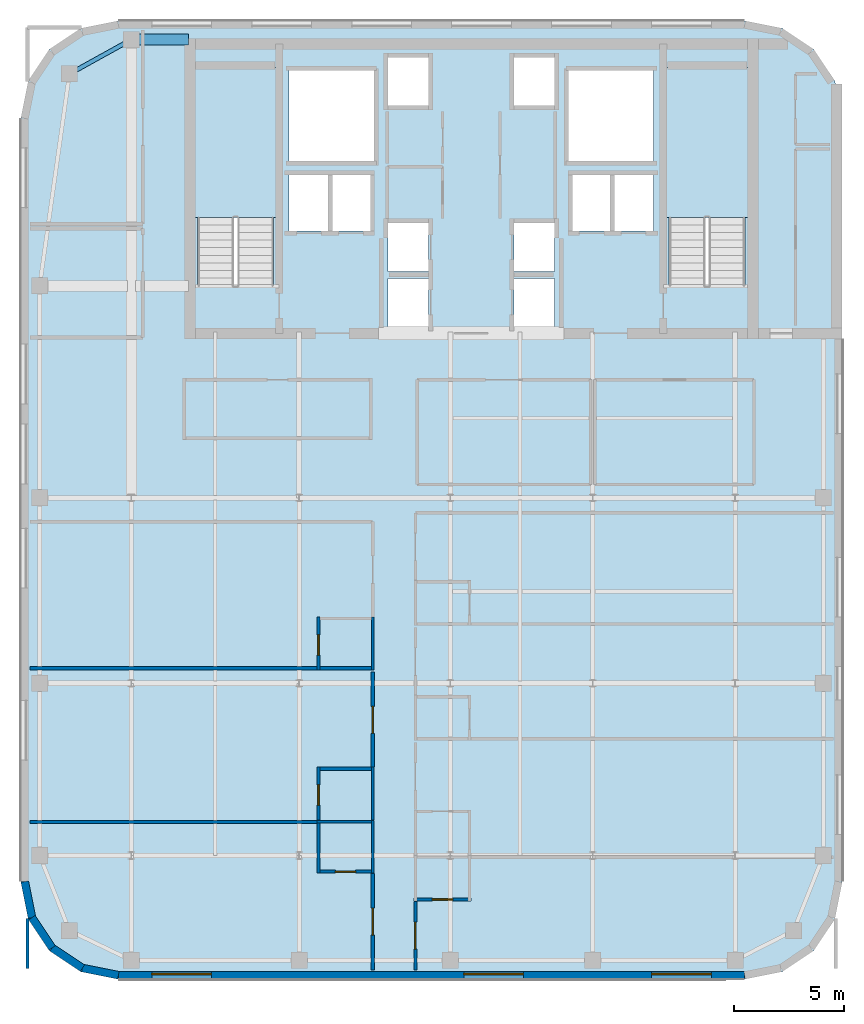
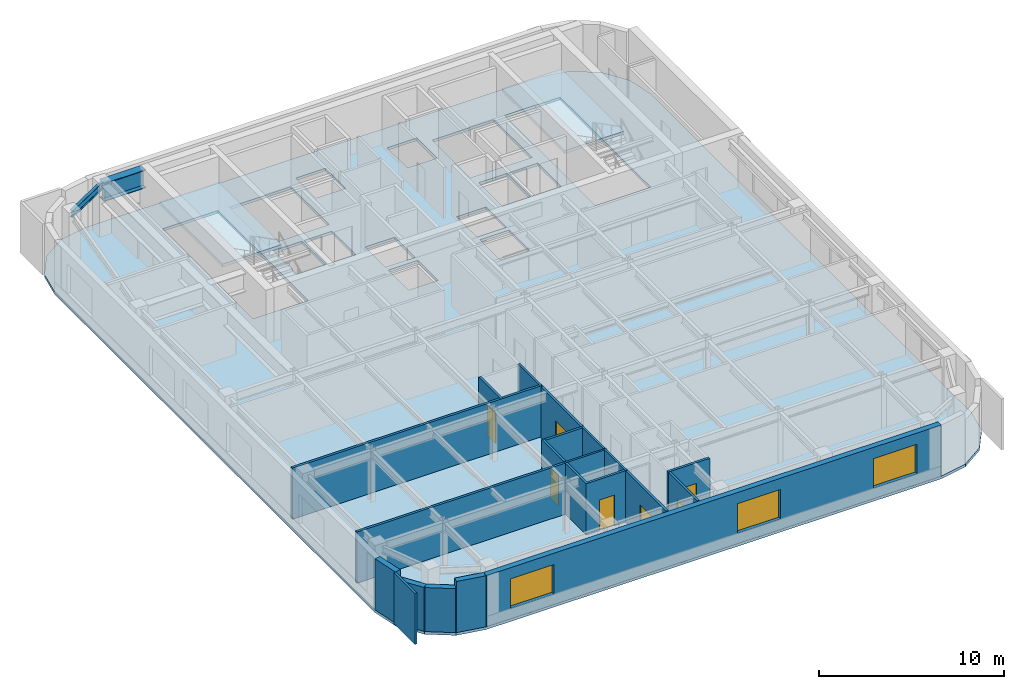
# One storey, part 3 of 11: 21 walls, 7 doors, 3 slabs, 3 windows, 2 beams, 10 openings, 2 elements without a shape of their own.
"""IFC4 building model written with IfcOpenShell, lengths in metres."""

from ifc_helpers import new_model, si_unit, direction, frame, frame_2d, origin, origin_2d, place, context, subcontext, project, spatial, polyline, rectangle, i_section, outline, extrude, source, transform, mapped, material, layer, layer_set, material_profile, profile_set, type_object, type_shapes, element, fill, aggregate, save


model = new_model("IFC4")

# Units and contexts
model_context = context("Model", 3, precision=1e-05, world=origin(), true_north=direction((0.0, 1.0)))
body_context = subcontext(model_context, "Body", "Model", "MODEL_VIEW")
ifc_project = project(units=[si_unit("LENGTHUNIT", "METRE"), si_unit("AREAUNIT", "SQUARE_METRE"), si_unit("VOLUMEUNIT", "CUBIC_METRE"), si_unit("PLANEANGLEUNIT", "RADIAN"), si_unit("MASSUNIT", "GRAM", prefix="KILO")], contexts=[model_context])

# Site, building, storey
site_placement = place(None, origin())
site = spatial("IfcSite", under=ifc_project, at=site_placement, CompositionType="ELEMENT")
building_placement = place(site_placement, origin())
building = spatial("IfcBuilding", under=site, at=building_placement, Name="Tolvann Quenvar Hotel", CompositionType="ELEMENT")
storey_placement = place(building_placement, frame((0.0, 0.0, 234.550048828125)))
storey = spatial("IfcBuildingStorey", under=building, at=storey_placement, Name="L62", CompositionType="ELEMENT", Elevation=234.550048828125)

# Beams
ifc_material_1 = material(Name="Steel Grade 350", Category="steel")
ifc_material_profile_1 = material_profile(ifc_material_1, i_section(OverallWidth=0.5, OverallDepth=1.199951171875, WebThickness=0.01611328125, FlangeThickness=0.0400390625, at=origin_2d()), Name="1200WB455")
ifc_profile_set_1 = profile_set([ifc_material_profile_1], Name="Steel Grade 350")
beam_type_1 = type_object("IfcBeamType", Name="BM_TG_1200WB455", PredefinedType="USERDEFINED", material=ifc_profile_set_1)
shared_shape_1 = source(origin(), body_context, "Body", "SweptSolid", [
    extrude(i_section(OverallWidth=0.5, OverallDepth=1.199951171875, WebThickness=0.01611328125, FlangeThickness=0.0400390625, at=origin_2d()), origin(), (0.0, 0.0, 1.0), 2.599853515625),
])
type_shapes(beam_type_1, [shared_shape_1])
beam_1_placement = place(storey_placement, frame((7.60009765625, 45.14990234375, 2.77001953125), z_axis=(1.0, 0.0, 0.0), x_axis=(0.0, 1.0, 0.0)))
element("IfcBeam", 1, at=beam_1_placement, inside=storey, type_object=beam_type_1, Name="BM-L62-CTW-CN", ObjectType="TRANSFER GIRDER", PredefinedType="USERDEFINED", context=body_context, shape_type="MappedRepresentation", body=[
    mapped(shared_shape_1, transform((0.0, 0.0, 0.0), x_axis=(1.0, 0.0, 0.0), y_axis=(0.0, 1.0, 0.0), z_axis=(0.0, 0.0, 1.0), scale=1.0)),
])
ifc_material_profile_2 = material_profile(ifc_material_1, i_section(OverallWidth=0.19091796875, OverallDepth=0.4599609375, WebThickness=0.010009765625, FlangeThickness=0.01611328125, FilletRadius=0.011474609375, at=origin_2d()), Name="460UB82")
ifc_profile_set_2 = profile_set([ifc_material_profile_2], Name="Steel Grade 350")
beam_type_2 = type_object("IfcBeamType", Name="BM_SPAND_460UB82", PredefinedType="SPANDREL", material=ifc_profile_set_2)
shared_shape_2 = source(origin(), body_context, "Body", "SweptSolid", [
    extrude(i_section(OverallWidth=0.19091796875, OverallDepth=0.4599609375, WebThickness=0.010009765625, FlangeThickness=0.01611328125, FilletRadius=0.011474609375, at=origin_2d()), origin(), (0.0, 0.0, 1.0), 3.200439453125),
])
type_shapes(beam_type_2, [shared_shape_2])
beam_2_placement = place(storey_placement, frame((4.800048828125, 43.60009765625, 3.139892578125), z_axis=(0.87492264453, 0.48426270359, 0.0), x_axis=(-0.48426270359, 0.87492264453, 0.0)))
element("IfcBeam", 2, at=beam_2_placement, inside=storey, type_object=beam_type_2, Name="BM-L62-FLK-W3", PredefinedType="SPANDREL", context=body_context, shape_type="MappedRepresentation", body=[
    mapped(shared_shape_2, transform((0.0, 0.0, 0.0), x_axis=(1.0, 0.0, 0.0), y_axis=(0.0, 1.0, 0.0), z_axis=(0.0, 0.0, 1.0), scale=1.0)),
])

# Stair, slab
ifc_material_2 = material(Name="Concrete N40 (40 MPa)", Category="concrete")
stair_type = type_object("IfcStairType", Name="STAIR", PredefinedType="HALF_TURN_STAIR", material=ifc_material_2)
stair_1_placement = place(storey_placement, origin())
stair_1 = element("IfcStair", 3, at=stair_1_placement, inside=storey, type_object=stair_type, Name="L62 ST-C1", PredefinedType="HALF_TURN_STAIR")
ifc_layer_1 = layer(ifc_material_2, 0.199951171875)
ifc_layer_set_1 = layer_set([ifc_layer_1], Name="Concrete N40 (40 MPa)")
slab_type_1 = type_object("IfcSlabType", Name="SLAB_LANDING", PredefinedType="LANDING", material=ifc_layer_set_1)
slab_1_placement = place(storey_placement, frame((0.0, 0.0, 1.574951171875)))
slab_1 = element("IfcSlab", 4, at=slab_1_placement, type_object=slab_type_1, Name="ST-C1 landing 1", PredefinedType="LANDING", context=body_context, shape_type="SweptSolid", body=[
    extrude(outline(polyline([(14.179931640625, 37.10498046875), (14.179931640625, 43.8798828125), (10.469970703125, 43.8798828125), (10.469970703125, 37.10498046875), (14.179931640625, 37.10498046875)])), origin(), (0.0, 0.0, 1.0), 0.199951171875),
])
aggregate(stair_1, [slab_1])

stair_2_placement = place(storey_placement, origin())
stair_2 = element("IfcStair", 5, at=stair_2_placement, inside=storey, type_object=stair_type, Name="L62 ST-C2", PredefinedType="HALF_TURN_STAIR")
slab_2_placement = place(storey_placement, frame((0.0, 0.0, 1.574951171875)))
slab_2 = element("IfcSlab", 6, at=slab_2_placement, type_object=slab_type_1, Name="ST-C2 landing 1", PredefinedType="LANDING", context=body_context, shape_type="SweptSolid", body=[
    extrude(outline(polyline([(35.530029296875, 37.10498046875), (35.530029296875, 43.8798828125), (31.820068359375, 43.8798828125), (31.820068359375, 37.10498046875), (35.530029296875, 37.10498046875)])), origin(), (0.0, 0.0, 1.0), 0.199951171875),
])
aggregate(stair_2, [slab_2])

# Slab
ifc_layer_2 = layer(ifc_material_2, 0.179931640625)
ifc_layer_set_2 = layer_set([ifc_layer_2], Name="Concrete N40 (40 MPa)")
slab_type_2 = type_object("IfcSlabType", Name="SLAB_TWR_180", PredefinedType="FLOOR", material=ifc_layer_set_2)
slab_3_placement = place(storey_placement, frame((0.0, 0.0, -0.179931640625)))
element("IfcSlab", 7, at=slab_3_placement, inside=storey, type_object=slab_type_2, Name="Level L62 Structural Floor Slab", PredefinedType="FLOOR", context=body_context, shape_type="SweptSolid", body=[
    extrude(outline(polyline([(2.60009765625, 7.0), (2.934814453125, 5.316162109375), (3.888671875, 3.888671875), (5.316162109375, 2.934814453125), (7.0, 2.60009765625), (35.39990234375, 2.60009765625), (37.083740234375, 2.934814453125), (38.51123046875, 3.888671875), (39.465087890625, 5.316162109375), (39.800048828125, 7.0), (39.800048828125, 41.60009765625), (39.465087890625, 43.28369140625), (38.51123046875, 44.711181640625), (37.083740234375, 45.6650390625), (35.39990234375, 46.0), (7.0, 46.0), (5.316162109375, 45.6650390625), (3.888671875, 44.711181640625), (2.934814453125, 43.28369140625), (2.60009765625, 41.60009765625), (2.60009765625, 7.0)]), holes=[polyline([(31.949951171875, 34.02490234375), (31.949951171875, 43.800048828125), (35.39990234375, 43.800048828125), (35.39990234375, 34.02490234375), (31.949951171875, 34.02490234375)]), polyline([(27.39990234375, 43.75), (31.25, 43.75), (31.25, 39.64990234375), (27.39990234375, 39.64990234375), (27.39990234375, 43.75)]), polyline([(29.449951171875, 39.02001953125), (31.25, 39.02001953125), (31.25, 36.47998046875), (29.449951171875, 36.47998046875), (29.449951171875, 39.02001953125)]), polyline([(27.574951171875, 39.02001953125), (29.324951171875, 39.02001953125), (29.324951171875, 36.47998046875), (27.574951171875, 36.47998046875), (27.574951171875, 39.02001953125)]), polyline([(24.929931640625, 36.840087890625), (26.77001953125, 36.840087890625), (26.77001953125, 34.659912109375), (24.929931640625, 34.659912109375), (24.929931640625, 36.840087890625)]), polyline([(24.929931640625, 44.340087890625), (26.77001953125, 44.340087890625), (26.77001953125, 42.159912109375), (24.929931640625, 42.159912109375), (24.929931640625, 44.340087890625)]), polyline([(24.929931640625, 32.159912109375), (24.929931640625, 34.340087890625), (26.77001953125, 34.340087890625), (26.77001953125, 32.159912109375), (24.929931640625, 32.159912109375)]), polyline([(19.22998046875, 36.840087890625), (21.070068359375, 36.840087890625), (21.070068359375, 34.659912109375), (19.22998046875, 34.659912109375), (19.22998046875, 36.840087890625)]), polyline([(19.22998046875, 44.340087890625), (21.070068359375, 44.340087890625), (21.070068359375, 42.159912109375), (19.22998046875, 42.159912109375), (19.22998046875, 44.340087890625)]), polyline([(19.22998046875, 32.159912109375), (19.22998046875, 34.340087890625), (21.070068359375, 34.340087890625), (21.070068359375, 32.159912109375), (19.22998046875, 32.159912109375)]), polyline([(14.75, 43.75), (18.60009765625, 43.75), (18.60009765625, 39.64990234375), (14.75, 39.64990234375), (14.75, 43.75)]), polyline([(16.675048828125, 39.02001953125), (18.425048828125, 39.02001953125), (18.425048828125, 36.47998046875), (16.675048828125, 36.47998046875), (16.675048828125, 39.02001953125)]), polyline([(14.75, 39.02001953125), (16.550048828125, 39.02001953125), (16.550048828125, 36.47998046875), (14.75, 36.47998046875), (14.75, 39.02001953125)]), polyline([(10.60009765625, 34.02490234375), (10.60009765625, 43.800048828125), (14.050048828125, 43.800048828125), (14.050048828125, 34.02490234375), (10.60009765625, 34.02490234375)])]), origin(), (0.0, 0.0, 1.0), 0.179931640625),
])

# Walls
ifc_material_3 = material(Name="Kiln-fired red and buff architectural clay brickwork and terracotta masonry", Category="masonry")
ifc_layer_3 = layer(ifc_material_3, 0.35009765625)
ifc_layer_set_3 = layer_set([ifc_layer_3], Name="Kiln-fired red and buff architectural clay brickwork and terracotta masonry")
wall_type_1 = type_object("IfcWallType", Name="WALL_EXT_BRICK_350", PredefinedType="SOLIDWALL", material=ifc_layer_set_3)
for number, where, z_axis, x_axis, name in (
    (8, (3.099609375, 5.384521484375, 0.0), (0.0, 0.0, 1.0), (0.555623290322, -0.831434158098, 0.0), "Exterior Chicago Brick Wall L62-E01"),
    (9, (4.014892578125, 4.014892578125, 0.0), (0.0, 0.0, 1.0), (0.831434158098, -0.555623290322, 0.0), "Exterior Chicago Brick Wall L62-E02"),
):
    element("IfcWall", number, at=place(storey_placement, frame(where, z_axis=z_axis, x_axis=x_axis)), inside=storey, type_object=wall_type_1, Name=name, PredefinedType="SOLIDWALL", context=body_context, shape_type="SweptSolid", body=[
        extrude(rectangle(XDim=1.647216796875, YDim=0.35009765625, at=frame_2d((0.82373046875, 0.0))), origin(), (0.0, 0.0, 1.0), 2.89990234375),
    ])
wall_1_placement = place(storey_placement, frame((5.384521484375, 3.099609375, 0.0), z_axis=(0.0, 0.0, 1.0), x_axis=(0.980788844421, -0.195072403631, 0.0)))
element("IfcWall", 10, at=wall_1_placement, inside=storey, type_object=wall_type_1, Name="Exterior Chicago Brick Wall L62-E03", PredefinedType="SOLIDWALL", context=body_context, shape_type="SweptSolid", body=[
    extrude(rectangle(XDim=1.66455078125, YDim=0.35009765625, at=frame_2d((0.832275390625, 0.0))), origin(), (0.0, 0.0, 1.0), 3.369873046875),
])

# Wall, openings, windows
wall_2_placement = place(storey_placement, frame((7.01708984375, 2.77490234375, 0.0), z_axis=(0.0, 0.0, 1.0), x_axis=(1.0, 0.0, 0.0)))
wall_2 = element("IfcWall", 11, at=wall_2_placement, inside=storey, type_object=wall_type_1, Name="Exterior Chicago Brick Wall L62-E04", PredefinedType="SOLIDWALL", context=body_context, shape_type="SweptSolid", body=[
    extrude(rectangle(XDim=28.36572265625, YDim=0.35009765625, at=frame_2d((14.182861328125, 0.0))), origin(), (0.0, 0.0, 1.0), 3.369873046875),
])
opening_1_placement = place(wall_2_placement, frame((1.513916015625, 0.0, 0.679931640625)))
opening_1 = element("IfcOpeningElement", 12, at=opening_1_placement, cuts=wall_2, Name="Opening W-04", PredefinedType="OPENING", context=body_context, shape_type="SweptSolid", body=[
    extrude(rectangle(XDim=2.699951171875, YDim=1.949951171875, at=frame_2d((1.35009765625, 0.97509765625))), frame((0.0, 0.18505859375, 0.0), z_axis=(0.0, -1.0, 0.0), x_axis=(1.0, 0.0, 0.0)), (0.0, 0.0, 1.0), 0.3701171875),
])
opening_2_placement = place(wall_2_placement, frame((15.64697265625, 0.0, 0.679931640625)))
opening_2 = element("IfcOpeningElement", 13, at=opening_2_placement, cuts=wall_2, Name="Opening W-04", PredefinedType="OPENING", context=body_context, shape_type="SweptSolid", body=[
    extrude(rectangle(XDim=2.699951171875, YDim=1.949951171875, at=frame_2d((1.35009765625, 0.97509765625))), frame((0.0, 0.18505859375, 0.0), z_axis=(0.0, -1.0, 0.0), x_axis=(1.0, 0.0, 0.0)), (0.0, 0.0, 1.0), 0.3701171875),
])
opening_3_placement = place(wall_2_placement, frame((24.152099609375, 0.0, 0.679931640625)))
opening_3 = element("IfcOpeningElement", 14, at=opening_3_placement, cuts=wall_2, Name="Opening W-04", PredefinedType="OPENING", context=body_context, shape_type="SweptSolid", body=[
    extrude(rectangle(XDim=2.699951171875, YDim=1.949951171875, at=frame_2d((1.35009765625, 0.97509765625))), frame((0.0, 0.18505859375, 0.0), z_axis=(0.0, -1.0, 0.0), x_axis=(1.0, 0.0, 0.0)), (0.0, 0.0, 1.0), 0.3701171875),
])
ifc_material_4 = material(Name="Thermally broken bronze-anodised aluminium frame with double low-E glazing", Category="aluminium")
window_type = type_object("IfcWindowType", Name="WIN_STE_2700x2150", PartitioningType="TRIPLE_PANEL_HORIZONTAL", PredefinedType="WINDOW", material=ifc_material_4)
shared_shape_3 = source(origin(), body_context, "Body", "SweptSolid", [
    extrude(rectangle(XDim=2.699951171875, YDim=1.949951171875, at=frame_2d((1.35009765625, 0.97509765625))), frame((0.0, 0.090087890625, 0.0), z_axis=(0.0, -1.0, 0.0), x_axis=(1.0, 0.0, 0.0)), (0.0, 0.0, 1.0), 0.06005859375),
])
type_shapes(window_type, [shared_shape_3])
window_1_placement = place(opening_1_placement, origin())
window_1 = element("IfcWindow", 15, at=window_1_placement, inside=storey, type_object=window_type, Name="Chicago Window W-04 (EW-L62-E04-W01)", OverallHeight=1.949951171875, OverallWidth=2.699951171875, PartitioningType="TRIPLE_PANEL_HORIZONTAL", PredefinedType="WINDOW", context=body_context, shape_type="MappedRepresentation", body=[
    mapped(shared_shape_3, transform((0.0, 0.0, 0.0), x_axis=(1.0, 0.0, 0.0), y_axis=(0.0, 1.0, 0.0), z_axis=(0.0, 0.0, 1.0), scale=1.0)),
])
fill(opening_1, window_1)
window_2_placement = place(opening_2_placement, origin())
window_2 = element("IfcWindow", 16, at=window_2_placement, inside=storey, type_object=window_type, Name="Chicago Window W-04 (EW-L62-E04-W02)", OverallHeight=1.949951171875, OverallWidth=2.699951171875, PartitioningType="TRIPLE_PANEL_HORIZONTAL", PredefinedType="WINDOW", context=body_context, shape_type="MappedRepresentation", body=[
    mapped(shared_shape_3, transform((0.0, 0.0, 0.0), x_axis=(1.0, 0.0, 0.0), y_axis=(0.0, 1.0, 0.0), z_axis=(0.0, 0.0, 1.0), scale=1.0)),
])
fill(opening_2, window_2)
window_3_placement = place(opening_3_placement, origin())
window_3 = element("IfcWindow", 17, at=window_3_placement, inside=storey, type_object=window_type, Name="Chicago Window W-04 (EW-L62-E04-W03)", OverallHeight=1.949951171875, OverallWidth=2.699951171875, PartitioningType="TRIPLE_PANEL_HORIZONTAL", PredefinedType="WINDOW", context=body_context, shape_type="MappedRepresentation", body=[
    mapped(shared_shape_3, transform((0.0, 0.0, 0.0), x_axis=(1.0, 0.0, 0.0), y_axis=(0.0, 1.0, 0.0), z_axis=(0.0, 0.0, 1.0), scale=1.0)),
])
fill(opening_3, window_3)

# Walls
wall_3_placement = place(storey_placement, frame((2.77490234375, 7.01708984375, 0.0), z_axis=(0.0, 0.0, 1.0), x_axis=(0.195072403631, -0.980788844421, 0.0)))
element("IfcWall", 18, at=wall_3_placement, inside=storey, type_object=wall_type_1, Name="Exterior Chicago Brick Wall L62-E20", PredefinedType="SOLIDWALL", context=body_context, shape_type="SweptSolid", body=[
    extrude(rectangle(XDim=1.66455078125, YDim=0.35009765625, at=frame_2d((0.832275390625, 0.0))), origin(), (0.0, 0.0, 1.0), 3.369873046875),
])
ifc_material_5 = material(Name="Moisture-resistant acoustic plumbing wall assembly")
ifc_layer_4 = layer(ifc_material_5, 0.1201171875)
ifc_layer_set_4 = layer_set([ifc_layer_4], Name="Moisture-resistant acoustic plumbing wall assembly")
wall_type_2 = type_object("IfcWallType", Name="WALL_PART_BATH_120", PredefinedType="PLUMBINGWALL", material=ifc_layer_set_4)
wall_4_placement = place(storey_placement, frame((16.010009765625, 9.719970703125, 0.0), z_axis=(0.0, 0.0, 1.0), x_axis=(1.0, 0.0, 0.0)))
element("IfcWall", 19, at=wall_4_placement, inside=storey, type_object=wall_type_2, Name="Non-Rated Plumbing Partition PT-SPC-L62-ENS-WO01-N", PredefinedType="PLUMBINGWALL", context=body_context, shape_type="SweptSolid", body=[
    extrude(rectangle(XDim=2.590087890625, YDim=0.1201171875, at=frame_2d((1.294921875, 0.0))), origin(), (0.0, 0.0, 1.0), 3.369873046875),
])
wall_5_placement = place(storey_placement, frame((18.530029296875, 7.39990234375, 0.0), z_axis=(0.0, 0.0, 1.0), x_axis=(0.0, 1.0, 0.0)))
element("IfcWall", 20, at=wall_5_placement, inside=storey, type_object=wall_type_2, Name="Non-Rated Plumbing Partition PT-SPC-L62-ENS-WO01-E", PredefinedType="PLUMBINGWALL", context=body_context, shape_type="SweptSolid", body=[
    extrude(rectangle(XDim=2.39013671875, YDim=0.1201171875, at=frame_2d((1.195068359375, 0.0))), origin(), (0.0, 0.0, 1.0), 3.369873046875),
])
for number, where, z_axis, x_axis, name in (
    (21, (18.530029296875, 9.81005859375, 0.0), (0.0, 0.0, 1.0), (0.0, 1.0, 0.0), "Non-Rated Plumbing Partition PT-SPC-L62-ENS-WO02-E"),
    (22, (18.530029296875, 16.610107421875, 0.0), (0.0, 0.0, 1.0), (0.0, 1.0, 0.0), "Non-Rated Plumbing Partition PT-SPC-L62-ENS-WO03-E"),
):
    element("IfcWall", number, at=place(storey_placement, frame(where, z_axis=z_axis, x_axis=x_axis)), inside=storey, type_object=wall_type_2, Name=name, PredefinedType="PLUMBINGWALL", context=body_context, shape_type="SweptSolid", body=[
        extrude(rectangle(XDim=2.389892578125, YDim=0.1201171875, at=frame_2d((1.19482421875, 0.0))), origin(), (0.0, 0.0, 1.0), 3.369873046875),
    ])
ifc_material_6 = material(Name="Acoustic twin-stud fire-rated gypsum plasterboard partition")
ifc_layer_5 = layer(ifc_material_6, 0.14990234375)
ifc_layer_set_5 = layer_set([ifc_layer_5], Name="Acoustic twin-stud fire-rated gypsum plasterboard partition")
wall_type_3 = type_object("IfcWallType", Name="WALL_PART_SUITE_150", PredefinedType="PARTITIONING", material=ifc_layer_set_5)
wall_6_placement = place(storey_placement, frame((16.080078125, 7.39990234375, 0.0), z_axis=(0.0, 0.0, 1.0), x_axis=(0.0, 1.0, 0.0)))
element("IfcWall", 23, at=wall_6_placement, inside=storey, type_object=wall_type_3, Name="Interior Partition PT-SPC-L62-ENS-WO01-ENT", PredefinedType="PARTITIONING", context=body_context, shape_type="SweptSolid", body=[
    extrude(rectangle(XDim=2.39013671875, YDim=0.14990234375, at=frame_2d((1.195068359375, 0.0))), origin(), (0.0, 0.0, 1.0), 3.369873046875),
])

# Wall, opening, door
wall_7_placement = place(storey_placement, frame((16.010009765625, 7.469970703125, 0.0), z_axis=(0.0, 0.0, 1.0), x_axis=(1.0, 0.0, 0.0)))
wall_7 = element("IfcWall", 24, at=wall_7_placement, inside=storey, type_object=wall_type_3, Name="Interior Partition PT-SPC-L62-ENS-WO01-S", PredefinedType="PARTITIONING", context=body_context, shape_type="SweptSolid", body=[
    extrude(rectangle(XDim=2.590087890625, YDim=0.14990234375, at=frame_2d((1.294921875, 0.0))), origin(), (0.0, 0.0, 1.0), 3.369873046875),
])
opening_4_placement = place(wall_7_placement, frame((0.8349609375, 0.0, 0.0)))
opening_4 = element("IfcOpeningElement", 25, at=opening_4_placement, cuts=wall_7, Name="Opening WD-01", PredefinedType="OPENING", context=body_context, shape_type="SweptSolid", body=[
    extrude(rectangle(XDim=0.919921875, YDim=2.010009765625, at=frame_2d((0.4599609375, 1.0048828125))), frame((0.0, 0.0849609375, 0.0), z_axis=(0.0, -1.0, 0.0), x_axis=(1.0, 0.0, 0.0)), (0.0, 0.0, 1.0), 0.169921875),
])
ifc_material_7 = material(Name="Solid-core American oak acoustic fire door leaf in steel frame", Category="steel")
door_type_1 = type_object("IfcDoorType", Name="DOOR_WC_920", OperationType="NOTDEFINED", PredefinedType="DOOR", material=ifc_material_7)
shared_shape_4 = source(origin(), body_context, "Body", "SweptSolid", [
    extrude(rectangle(XDim=0.919921875, YDim=2.010009765625, at=frame_2d((0.4599609375, 1.0048828125))), frame((0.0, 0.02490234375, 0.0), z_axis=(0.0, -1.0, 0.0), x_axis=(1.0, 0.0, 0.0)), (0.0, 0.0, 1.0), 0.050048828125),
])
type_shapes(door_type_1, [shared_shape_4])
door_1_placement = place(opening_4_placement, origin())
door_1 = element("IfcDoor", 26, at=door_1_placement, inside=storey, type_object=door_type_1, Name="Interior Door DOOR-SPC-L62-ENS-WO01", OperationType="SINGLE_SWING_LEFT", OverallHeight=2.010009765625, OverallWidth=0.919921875, PredefinedType="DOOR", context=body_context, shape_type="MappedRepresentation", body=[
    mapped(shared_shape_4, transform((0.0, 0.0, 0.0), x_axis=(1.0, 0.0, 0.0), y_axis=(0.0, 1.0, 0.0), z_axis=(0.0, 0.0, 1.0), scale=1.0)),
])
fill(opening_4, door_1)

wall_8_placement = place(storey_placement, frame((16.080078125, 9.81005859375, 0.0), z_axis=(0.0, 0.0, 1.0), x_axis=(0.0, 1.0, 0.0)))
wall_8 = element("IfcWall", 27, at=wall_8_placement, inside=storey, type_object=wall_type_3, Name="Interior Partition PT-SPC-L62-ENS-WO02-ENT", PredefinedType="PARTITIONING", context=body_context, shape_type="SweptSolid", body=[
    extrude(rectangle(XDim=2.389892578125, YDim=0.14990234375, at=frame_2d((1.19482421875, 0.0))), origin(), (0.0, 0.0, 1.0), 3.369873046875),
])
opening_5_placement = place(wall_8_placement, frame((0.6650390625, 0.0, 0.0)))
opening_5 = element("IfcOpeningElement", 28, at=opening_5_placement, cuts=wall_8, Name="Opening WD-01", PredefinedType="OPENING", context=body_context, shape_type="SweptSolid", body=[
    extrude(rectangle(XDim=0.919921875, YDim=2.010009765625, at=frame_2d((0.4599609375, 1.0048828125))), frame((0.0, 0.0849609375, 0.0), z_axis=(0.0, -1.0, 0.0), x_axis=(1.0, 0.0, 0.0)), (0.0, 0.0, 1.0), 0.169921875),
])
door_2_placement = place(opening_5_placement, origin())
door_2 = element("IfcDoor", 29, at=door_2_placement, inside=storey, type_object=door_type_1, Name="Interior Door DOOR-SPC-L62-ENS-WO02", OperationType="SINGLE_SWING_RIGHT", OverallHeight=2.010009765625, OverallWidth=0.919921875, PredefinedType="DOOR", context=body_context, shape_type="MappedRepresentation", body=[
    mapped(shared_shape_4, transform((0.0, 0.0, 0.0), x_axis=(1.0, 0.0, 0.0), y_axis=(0.0, 1.0, 0.0), z_axis=(0.0, 0.0, 1.0), scale=1.0)),
])
fill(opening_5, door_2)

# Wall
wall_9_placement = place(storey_placement, frame((16.010009765625, 12.1298828125, 0.0), z_axis=(0.0, 0.0, 1.0), x_axis=(1.0, 0.0, 0.0)))
element("IfcWall", 30, at=wall_9_placement, inside=storey, type_object=wall_type_3, Name="Interior Partition PT-SPC-L62-ENS-WO02-N", PredefinedType="PARTITIONING", context=body_context, shape_type="SweptSolid", body=[
    extrude(rectangle(XDim=2.590087890625, YDim=0.14990234375, at=frame_2d((1.294921875, 0.0))), origin(), (0.0, 0.0, 1.0), 3.369873046875),
])

# Wall, opening, door
wall_10_placement = place(storey_placement, frame((16.080078125, 16.610107421875, 0.0), z_axis=(0.0, 0.0, 1.0), x_axis=(0.0, 1.0, 0.0)))
wall_10 = element("IfcWall", 31, at=wall_10_placement, inside=storey, type_object=wall_type_3, Name="Interior Partition PT-SPC-L62-ENS-WO03-ENT", PredefinedType="PARTITIONING", context=body_context, shape_type="SweptSolid", body=[
    extrude(rectangle(XDim=2.389892578125, YDim=0.14990234375, at=frame_2d((1.19482421875, 0.0))), origin(), (0.0, 0.0, 1.0), 3.369873046875),
])
opening_6_placement = place(wall_10_placement, frame((0.6650390625, 0.0, 0.0)))
opening_6 = element("IfcOpeningElement", 32, at=opening_6_placement, cuts=wall_10, Name="Opening WD-01", PredefinedType="OPENING", context=body_context, shape_type="SweptSolid", body=[
    extrude(rectangle(XDim=0.919921875, YDim=2.010009765625, at=frame_2d((0.4599609375, 1.0048828125))), frame((0.0, 0.0849609375, 0.0), z_axis=(0.0, -1.0, 0.0), x_axis=(1.0, 0.0, 0.0)), (0.0, 0.0, 1.0), 0.169921875),
])
door_3_placement = place(opening_6_placement, origin())
door_3 = element("IfcDoor", 33, at=door_3_placement, inside=storey, type_object=door_type_1, Name="Interior Door DOOR-SPC-L62-ENS-WO03", OperationType="SINGLE_SWING_LEFT", OverallHeight=2.010009765625, OverallWidth=0.919921875, PredefinedType="DOOR", context=body_context, shape_type="MappedRepresentation", body=[
    mapped(shared_shape_4, transform((0.0, 0.0, 0.0), x_axis=(1.0, 0.0, 0.0), y_axis=(0.0, 1.0, 0.0), z_axis=(0.0, 0.0, 1.0), scale=1.0)),
])
fill(opening_6, door_3)

# Wall
wall_11_placement = place(storey_placement, frame((3.0048828125, 16.679931640625, 0.0), z_axis=(0.0, 0.0, 1.0), x_axis=(1.0, 0.0, 0.0)))
element("IfcWall", 34, at=wall_11_placement, inside=storey, type_object=wall_type_3, Name="Interior Partition PT-SPC-L62-ENS-WO03-S", PredefinedType="PARTITIONING", context=body_context, shape_type="SweptSolid", body=[
    extrude(rectangle(XDim=15.59521484375, YDim=0.14990234375, at=frame_2d((7.797607421875, 0.0))), origin(), (0.0, 0.0, 1.0), 3.369873046875),
])

# Wall, opening, door
wall_12_placement = place(storey_placement, frame((20.39990234375, 6.205078125, 0.0), z_axis=(0.0, 0.0, 1.0), x_axis=(1.0, 0.0, 0.0)))
wall_12 = element("IfcWall", 35, at=wall_12_placement, inside=storey, type_object=wall_type_3, Name="Interior Partition PT-SPC-L62-ENS-EO01-S", PredefinedType="PARTITIONING", context=body_context, shape_type="SweptSolid", body=[
    extrude(rectangle(XDim=2.590087890625, YDim=0.14990234375, at=frame_2d((1.294921875, 0.0))), origin(), (0.0, 0.0, 1.0), 3.369873046875),
])
opening_7_placement = place(wall_12_placement, frame((0.8349609375, 0.0, 0.0)))
opening_7 = element("IfcOpeningElement", 36, at=opening_7_placement, cuts=wall_12, Name="Opening WD-01", PredefinedType="OPENING", context=body_context, shape_type="SweptSolid", body=[
    extrude(rectangle(XDim=0.919921875, YDim=2.010009765625, at=frame_2d((0.4599609375, 1.0048828125))), frame((0.0, 0.0849609375, 0.0), z_axis=(0.0, -1.0, 0.0), x_axis=(1.0, 0.0, 0.0)), (0.0, 0.0, 1.0), 0.169921875),
])
door_4_placement = place(opening_7_placement, origin())
door_4 = element("IfcDoor", 37, at=door_4_placement, inside=storey, type_object=door_type_1, Name="Interior Door DOOR-SPC-L62-ENS-EO01", OperationType="SINGLE_SWING_RIGHT", OverallHeight=2.010009765625, OverallWidth=0.919921875, PredefinedType="DOOR", context=body_context, shape_type="MappedRepresentation", body=[
    mapped(shared_shape_4, transform((0.0, 0.0, 0.0), x_axis=(1.0, 0.0, 0.0), y_axis=(0.0, 1.0, 0.0), z_axis=(0.0, 0.0, 1.0), scale=1.0)),
])
fill(opening_7, door_4)

wall_13_placement = place(storey_placement, frame((18.530029296875, 3.0048828125, 0.0), z_axis=(0.0, 0.0, 1.0), x_axis=(0.0, 1.0, 0.0)))
wall_13 = element("IfcWall", 38, at=wall_13_placement, inside=storey, type_object=wall_type_3, Name="Interior Partition PT-SPC-L62-RM-WO01-ENT", PredefinedType="PARTITIONING", context=body_context, shape_type="SweptSolid", body=[
    extrude(rectangle(XDim=4.385009765625, YDim=0.14990234375, at=frame_2d((2.1923828125, 0.0))), origin(), (0.0, 0.0, 1.0), 3.369873046875),
])
opening_8_placement = place(wall_13_placement, frame((1.590087890625, 0.0, 0.0)))
opening_8 = element("IfcOpeningElement", 39, at=opening_8_placement, cuts=wall_13, Name="Opening SD-02", PredefinedType="OPENING", context=body_context, shape_type="SweptSolid", body=[
    extrude(rectangle(XDim=1.219970703125, YDim=2.080078125, at=frame_2d((0.60986328125, 1.0400390625))), frame((0.0, 0.0849609375, 0.0), z_axis=(0.0, -1.0, 0.0), x_axis=(1.0, 0.0, 0.0)), (0.0, 0.0, 1.0), 0.169921875),
])
door_type_2 = type_object("IfcDoorType", Name="DOOR_VIP_1220", OperationType="NOTDEFINED", PredefinedType="DOOR", material=ifc_material_7)
shared_shape_5 = source(origin(), body_context, "Body", "SweptSolid", [
    extrude(rectangle(XDim=1.219970703125, YDim=2.080078125, at=frame_2d((0.60986328125, 1.0400390625))), frame((0.0, 0.02490234375, 0.0), z_axis=(0.0, -1.0, 0.0), x_axis=(1.0, 0.0, 0.0)), (0.0, 0.0, 1.0), 0.050048828125),
])
type_shapes(door_type_2, [shared_shape_5])
door_5_placement = place(opening_8_placement, origin())
door_5 = element("IfcDoor", 40, at=door_5_placement, inside=storey, type_object=door_type_2, Name="Interior Door DOOR-SPC-L62-RM-WO01", OperationType="SINGLE_SWING_LEFT", OverallHeight=2.080078125, OverallWidth=1.219970703125, PredefinedType="DOOR", context=body_context, shape_type="MappedRepresentation", body=[
    mapped(shared_shape_5, transform((0.0, 0.0, 0.0), x_axis=(1.0, 0.0, 0.0), y_axis=(0.0, 1.0, 0.0), z_axis=(0.0, 0.0, 1.0), scale=1.0)),
])
fill(opening_8, door_5)

# Walls
wall_14_placement = place(storey_placement, frame((3.0048828125, 9.719970703125, 0.0), z_axis=(0.0, 0.0, 1.0), x_axis=(1.0, 0.0, 0.0)))
element("IfcWall", 41, at=wall_14_placement, inside=storey, type_object=wall_type_3, Name="Interior Partition PT-SPC-L62-RM-WO01-E5", PredefinedType="PARTITIONING", context=body_context, shape_type="SweptSolid", body=[
    extrude(rectangle(XDim=13.05517578125, YDim=0.14990234375, at=frame_2d((6.527587890625, 0.0))), origin(), (0.0, 0.0, 1.0), 3.369873046875),
])
wall_15_placement = place(storey_placement, frame((2.89990234375, 3.080078125, 0.0), z_axis=(0.0, 0.0, 1.0), x_axis=(0.0, 1.0, 0.0)))
element("IfcWall", 42, at=wall_15_placement, inside=storey, type_object=wall_type_3, Name="Interior Partition PT-SPC-L62-RM-WO01-E6", PredefinedType="PARTITIONING", context=body_context, shape_type="SweptSolid", body=[
    extrude(rectangle(XDim=2.264892578125, YDim=0.14990234375, at=frame_2d((1.13232421875, 0.0))), origin(), (0.0, 0.0, 1.0), 3.369873046875),
])

# Wall, opening, door
wall_16_placement = place(storey_placement, frame((18.530029296875, 12.2099609375, 0.0), z_axis=(0.0, 0.0, 1.0), x_axis=(0.0, 1.0, 0.0)))
wall_16 = element("IfcWall", 43, at=wall_16_placement, inside=storey, type_object=wall_type_3, Name="Interior Partition PT-SPC-L62-RM-WO02-ENT", PredefinedType="PARTITIONING", context=body_context, shape_type="SweptSolid", body=[
    extrude(rectangle(XDim=4.31005859375, YDim=0.14990234375, at=frame_2d((2.155029296875, 0.0))), origin(), (0.0, 0.0, 1.0), 3.369873046875),
])
opening_9_placement = place(wall_16_placement, frame((1.52490234375, 0.0, 0.0)))
opening_9 = element("IfcOpeningElement", 44, at=opening_9_placement, cuts=wall_16, Name="Opening SD-02", PredefinedType="OPENING", context=body_context, shape_type="SweptSolid", body=[
    extrude(rectangle(XDim=1.219970703125, YDim=2.080078125, at=frame_2d((0.60986328125, 1.0400390625))), frame((0.0, 0.0849609375, 0.0), z_axis=(0.0, -1.0, 0.0), x_axis=(1.0, 0.0, 0.0)), (0.0, 0.0, 1.0), 0.169921875),
])
door_6_placement = place(opening_9_placement, origin())
door_6 = element("IfcDoor", 45, at=door_6_placement, inside=storey, type_object=door_type_2, Name="Interior Door DOOR-SPC-L62-RM-WO02", OperationType="SINGLE_SWING_RIGHT", OverallHeight=2.080078125, OverallWidth=1.219970703125, PredefinedType="DOOR", context=body_context, shape_type="MappedRepresentation", body=[
    mapped(shared_shape_5, transform((0.0, 0.0, 0.0), x_axis=(1.0, 0.0, 0.0), y_axis=(0.0, 1.0, 0.0), z_axis=(0.0, 0.0, 1.0), scale=1.0)),
])
fill(opening_9, door_6)

wall_17_placement = place(storey_placement, frame((20.469970703125, 3.0048828125, 0.0), z_axis=(0.0, 0.0, 1.0), x_axis=(0.0, 1.0, 0.0)))
wall_17 = element("IfcWall", 46, at=wall_17_placement, inside=storey, type_object=wall_type_3, Name="Interior Partition PT-SPC-L62-RM-EO01-ENT", PredefinedType="PARTITIONING", context=body_context, shape_type="SweptSolid", body=[
    extrude(rectangle(XDim=3.1201171875, YDim=0.14990234375, at=frame_2d((1.56005859375, 0.0))), origin(), (0.0, 0.0, 1.0), 3.369873046875),
])
opening_10_placement = place(wall_17_placement, frame((0.95751953125, 0.0, 0.0)))
opening_10 = element("IfcOpeningElement", 47, at=opening_10_placement, cuts=wall_17, Name="Opening SD-02", PredefinedType="OPENING", context=body_context, shape_type="SweptSolid", body=[
    extrude(rectangle(XDim=1.219970703125, YDim=2.080078125, at=frame_2d((0.60986328125, 1.0400390625))), frame((0.0, 0.0849609375, 0.0), z_axis=(0.0, -1.0, 0.0), x_axis=(1.0, 0.0, 0.0)), (0.0, 0.0, 1.0), 0.169921875),
])
door_7_placement = place(opening_10_placement, origin())
door_7 = element("IfcDoor", 48, at=door_7_placement, inside=storey, type_object=door_type_2, Name="Interior Door DOOR-SPC-L62-RM-EO01", OperationType="SINGLE_SWING_RIGHT", OverallHeight=2.080078125, OverallWidth=1.219970703125, PredefinedType="DOOR", context=body_context, shape_type="MappedRepresentation", body=[
    mapped(shared_shape_5, transform((0.0, 0.0, 0.0), x_axis=(1.0, 0.0, 0.0), y_axis=(0.0, 1.0, 0.0), z_axis=(0.0, 0.0, 1.0), scale=1.0)),
])
fill(opening_10, door_7)

save(model, "model.ifc")
